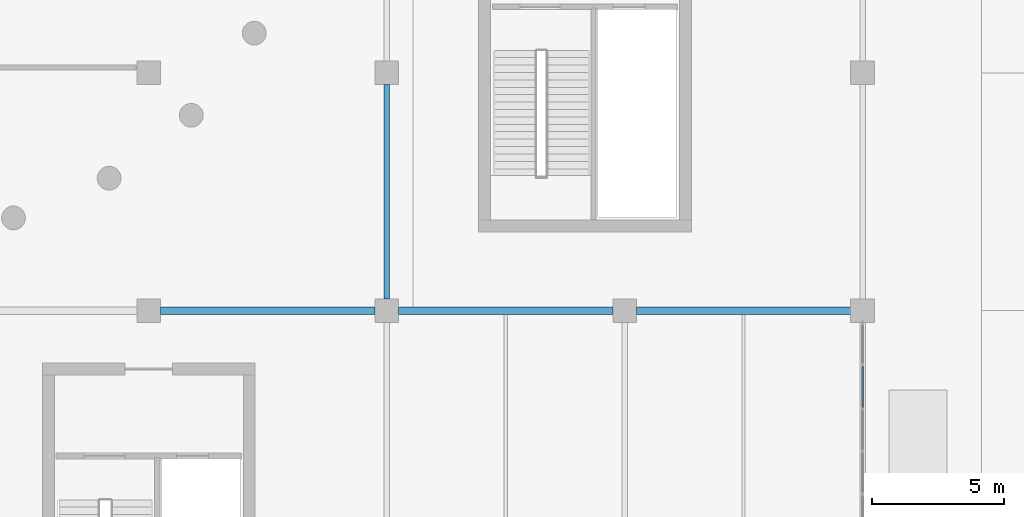
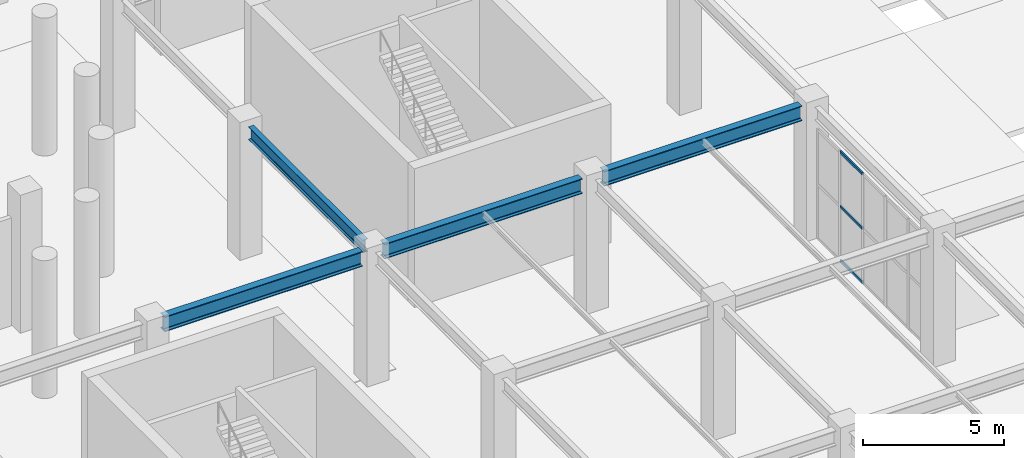
# One storey, part 25 of 91: 4 beams, 3 members, 1 element without a shape of its own.
"""IFC4 building model written with IfcOpenShell, lengths in metres."""

from ifc_helpers import new_model, si_unit, direction, frame, origin, origin_2d, place, context, subcontext, project, spatial, hollow_rectangle, i_section, extrude, material, layer, layer_set, material_profile, profile_set, type_object, element, aggregate, save


model = new_model("IFC4")

# Units and contexts
model_context = context("Model", 3, precision=1e-05, world=origin(), true_north=direction((0.0, 1.0)))
body_context = subcontext(model_context, "Body", "Model", "MODEL_VIEW")
ifc_project = project(units=[si_unit("LENGTHUNIT", "METRE"), si_unit("AREAUNIT", "SQUARE_METRE"), si_unit("VOLUMEUNIT", "CUBIC_METRE"), si_unit("PLANEANGLEUNIT", "RADIAN"), si_unit("MASSUNIT", "GRAM", prefix="KILO")], contexts=[model_context])

# Site, building, storey
site_placement = place(None, origin())
site = spatial("IfcSite", under=ifc_project, at=site_placement, CompositionType="ELEMENT")
building_placement = place(site_placement, origin())
building = spatial("IfcBuilding", under=site, at=building_placement, Name="Dornveld Trade and Exhibition Forum", CompositionType="ELEMENT")
storey_placement = place(building_placement, origin())
storey = spatial("IfcBuildingStorey", under=building, at=storey_placement, Name="L00", CompositionType="ELEMENT", Elevation=0.0)

# Beams
ifc_material_1 = material(Name="Steel S355J2", Category="steel")
ifc_material_profile_1 = material_profile(ifc_material_1, i_section(OverallWidth=0.300048828125, OverallDepth=0.64990234375, WebThickness=0.01611328125, FlangeThickness=0.031005859375, FilletRadius=0.027099609375, at=origin_2d()), Name="HEB 650")
ifc_profile_set_1 = profile_set([ifc_material_profile_1], Name="Steel S355J2")
beam_type_1 = type_object("IfcBeamType", Name="BM-GIR-HEB650", PredefinedType="USERDEFINED", material=ifc_profile_set_1)
for number, where, z_axis, x_axis, name in (
    (1, (126.446044921875, 63.0, 5.375), (1.0, 0.0, 0.0), (0.0, 1.0, 0.0), "L00 X-girder 679"),
    (2, (135.446044921875, 63.0, 5.375), (1.0, 0.0, 0.0), (0.0, 1.0, 0.0), "L00 X-girder 680"),
    (3, (144.446044921875, 63.0, 5.375), (1.0, 0.0, 0.0), (0.0, 1.0, 0.0), "L00 X-girder 681"),
):
    element("IfcBeam", number, at=place(storey_placement, frame(where, z_axis=z_axis, x_axis=x_axis)), inside=storey, type_object=beam_type_1, Name=name, ObjectType="GIRDER", PredefinedType="USERDEFINED", context=body_context, shape_type="SweptSolid", body=[
        extrude(i_section(OverallWidth=0.300048828125, OverallDepth=0.64990234375, WebThickness=0.01611328125, FlangeThickness=0.031005859375, FilletRadius=0.027099609375, at=origin_2d()), origin(), (0.0, 0.0, 1.0), 8.10791015625),
    ])
ifc_material_2 = material(Name="Steel S355J2", Category="steel")
ifc_material_profile_2 = material_profile(ifc_material_2, i_section(OverallWidth=0.2099609375, OverallDepth=0.550048828125, WebThickness=0.010986328125, FlangeThickness=0.01708984375, FilletRadius=0.02392578125, at=origin_2d()), Name="IPE 550")
ifc_profile_set_2 = profile_set([ifc_material_profile_2], Name="Steel S355J2")
beam_type_2 = type_object("IfcBeamType", Name="BM-SEC-550", PredefinedType="BEAM", material=ifc_profile_set_2)
beam_placement = place(storey_placement, frame((135.0, 63.446044921875, 5.425048828125), z_axis=(0.0, 1.0, 0.0), x_axis=(-1.0, 0.0, 0.0)))
element("IfcBeam", 4, at=beam_placement, inside=storey, type_object=beam_type_2, Name="L00 Y-girder 730", PredefinedType="BEAM", context=body_context, shape_type="SweptSolid", body=[
    extrude(i_section(OverallWidth=0.2099609375, OverallDepth=0.550048828125, WebThickness=0.010986328125, FlangeThickness=0.01708984375, FilletRadius=0.02392578125, at=origin_2d()), origin(), (0.0, 0.0, 1.0), 8.10791015625),
])

# Curtain wall, members
ifc_material_3 = material(Name="Dark-bronze anodised aluminium and low-E glass", Category="aluminium")
ifc_layer = layer(ifc_material_3, 0.154052734375)
ifc_layer_set = layer_set([ifc_layer], Name="Dark-bronze anodised aluminium and low-E glass")
curtain_wall_type = type_object("IfcCurtainWallType", Name="CW-SYS-04", PredefinedType="USERDEFINED", material=ifc_layer_set)
curtain_wall_placement = place(storey_placement, origin())
curtain_wall = element("IfcCurtainWall", 5, at=curtain_wall_placement, inside=storey, type_object=curtain_wall_type, Name="L00 unitised curtain wall 58", ObjectType="UNITISED_CURTAIN_WALL", PredefinedType="USERDEFINED")
ifc_material_4 = material(Name="Dark-bronze anodised aluminium", Category="aluminium")
ifc_material_profile_3 = material_profile(ifc_material_4, hollow_rectangle(XDim=0.06005859375, YDim=0.1201171875, WallThickness=0.00390625, at=origin_2d()), Name="RHS 120x60x4")
ifc_profile_set_3 = profile_set([ifc_material_profile_3], Name="Dark-bronze anodised aluminium")
member_type = type_object("IfcMemberType", Name="CW-TRN-120", PredefinedType="USERDEFINED", material=ifc_profile_set_3)
member_1_placement = place(storey_placement, frame((153.0, 59.3408203125, 0.02587890625), z_axis=(0.0, 1.0, 0.0), x_axis=(-1.0, 0.0, 0.0)))
member_1 = element("IfcMember", 6, at=member_1_placement, type_object=member_type, Name="CW-04 transom 4.1", ObjectType="TRANSOM", PredefinedType="USERDEFINED", context=body_context, shape_type="SweptSolid", body=[
    extrude(hollow_rectangle(XDim=0.06005859375, YDim=0.1201171875, WallThickness=0.00390625, at=origin_2d()), origin(), (0.0, 0.0, 1.0), 1.5615234375),
])
member_2_placement = place(storey_placement, frame((153.0, 59.3408203125, 2.3779296875), z_axis=(0.0, 1.0, 0.0), x_axis=(-1.0, 0.0, 0.0)))
member_2 = element("IfcMember", 7, at=member_2_placement, type_object=member_type, Name="CW-04 transom 4.2", ObjectType="TRANSOM", PredefinedType="USERDEFINED", context=body_context, shape_type="SweptSolid", body=[
    extrude(hollow_rectangle(XDim=0.06005859375, YDim=0.1201171875, WallThickness=0.00390625, at=origin_2d()), origin(), (0.0, 0.0, 1.0), 1.5615234375),
])
member_3_placement = place(storey_placement, frame((153.0, 59.3408203125, 4.72998046875), z_axis=(0.0, 1.0, 0.0), x_axis=(-1.0, 0.0, 0.0)))
member_3 = element("IfcMember", 8, at=member_3_placement, type_object=member_type, Name="CW-04 transom 4.3", ObjectType="TRANSOM", PredefinedType="USERDEFINED", context=body_context, shape_type="SweptSolid", body=[
    extrude(hollow_rectangle(XDim=0.06005859375, YDim=0.1201171875, WallThickness=0.00390625, at=origin_2d()), origin(), (0.0, 0.0, 1.0), 1.5615234375),
])
aggregate(curtain_wall, [member_1, member_2, member_3])

save(model, "model.ifc")
